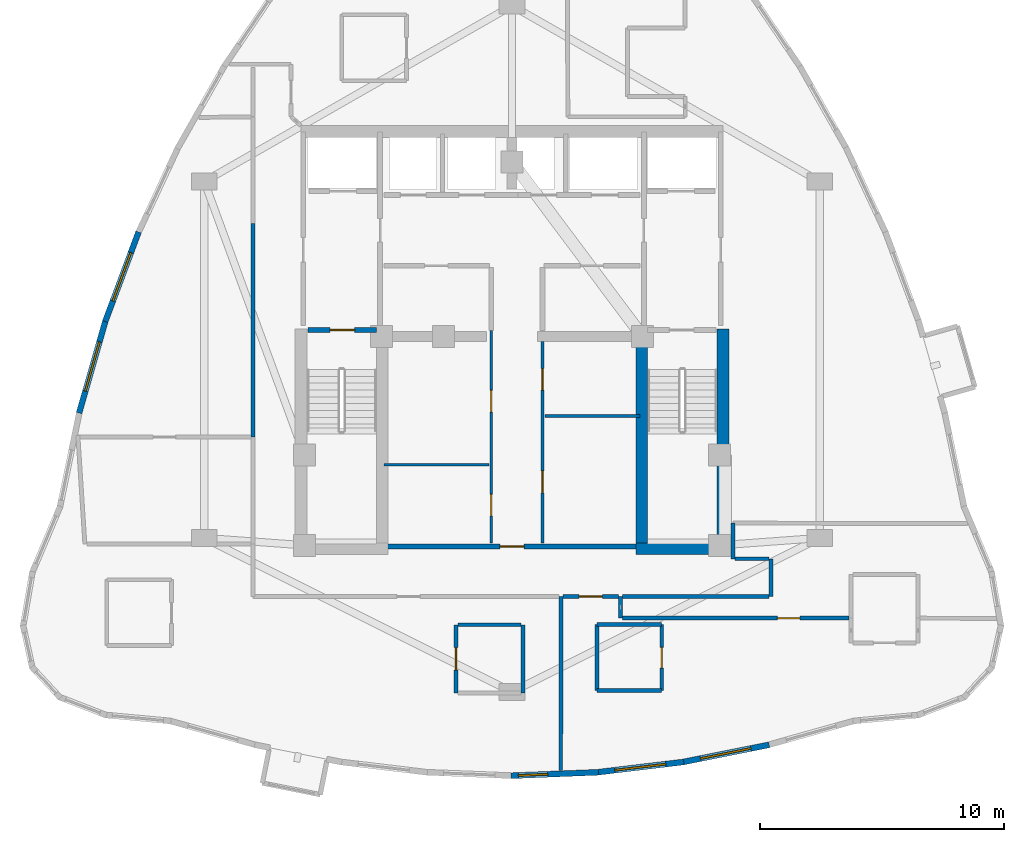
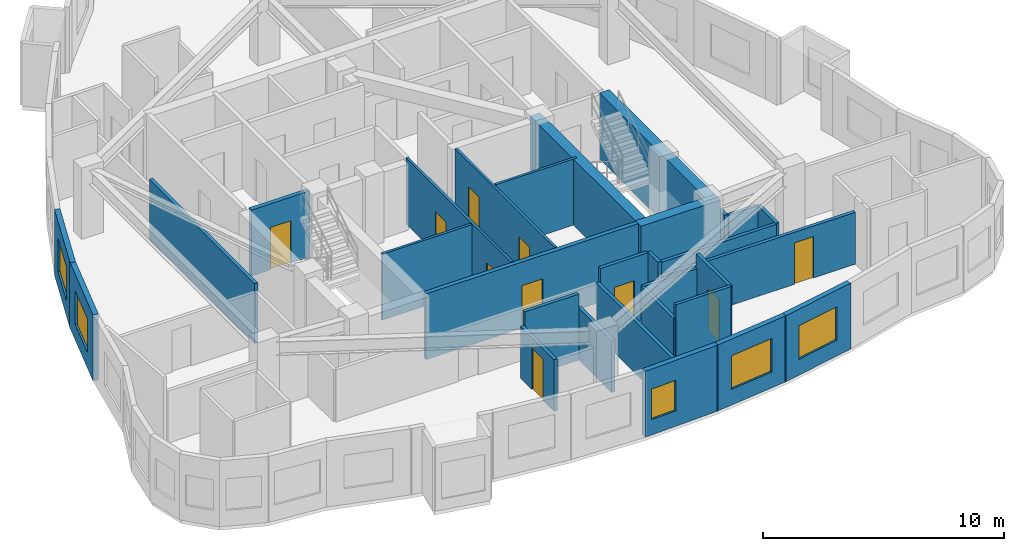
# One storey, part 8 of 12: 30 walls, 10 doors, 5 windows, 15 openings.
"""IFC4 building model written with IfcOpenShell, lengths in metres."""

from ifc_helpers import new_model, si_unit, direction, frame, frame_2d, origin, place, context, subcontext, project, spatial, rectangle, extrude, material, layer, layer_set, type_object, element, fill, save


model = new_model("IFC4")

# Units and contexts
model_context = context("Model", 3, precision=1e-05, world=origin(), true_north=direction((0.0, 1.0)))
body_context = subcontext(model_context, "Body", "Model", "MODEL_VIEW")
ifc_project = project(units=[si_unit("LENGTHUNIT", "METRE"), si_unit("AREAUNIT", "SQUARE_METRE"), si_unit("VOLUMEUNIT", "CUBIC_METRE"), si_unit("PLANEANGLEUNIT", "RADIAN"), si_unit("MASSUNIT", "GRAM", prefix="KILO")], contexts=[model_context])

# Site, building, storey
site_placement = place(None, origin())
site = spatial("IfcSite", under=ifc_project, at=site_placement, CompositionType="ELEMENT")
building_placement = place(site_placement, origin())
building = spatial("IfcBuilding", under=site, at=building_placement, Name="Miruveldt Soraemaru", CompositionType="ELEMENT")
storey_placement = place(building_placement, frame((0.0, 0.0, 219.60009765625)))
storey = spatial("IfcBuildingStorey", under=building, at=storey_placement, Name="L60", CompositionType="ELEMENT", Elevation=219.60009765625)

# Walls
ifc_material_1 = material(Name="Concrete C60/75 (60 MPa)", Category="concrete")
ifc_layer_1 = layer(ifc_material_1, 0.47998046875, Name="Concrete C60/75 (60 MPa)", Category="concrete")
ifc_layer_set_1 = layer_set([ifc_layer_1], Name="Concrete C60/75 (60 MPa)")
wall_type_1 = type_object("IfcWallType", Name="WALL-CW-480", PredefinedType="SHEAR", material=ifc_layer_set_1)
wall_1_placement = place(storey_placement, frame((49.070068359375, 35.360107421875, 0.0), z_axis=(0.0, 0.0, 1.0), x_axis=(1.0, 0.0, 0.0)))
element("IfcWall", 1, at=wall_1_placement, inside=storey, type_object=wall_type_1, Name="L60 Central Core Shear Wall S2", PredefinedType="SHEAR", context=body_context, shape_type="SweptSolid", body=[
    extrude(rectangle(XDim=3.809814453125, YDim=0.47998046875, at=frame_2d((1.90478515625, 0.0))), origin(), (0.0, 0.0, 1.0), 3.344970703125),
])
wall_2_placement = place(storey_placement, frame((52.639892578125, 35.1201171875, 0.0), z_axis=(0.0, 0.0, 1.0), x_axis=(0.0, 1.0, 0.0)))
element("IfcWall", 2, at=wall_2_placement, inside=storey, type_object=wall_type_1, Name="L60 Central Core Shear Wall E1", PredefinedType="SHEAR", context=body_context, shape_type="SweptSolid", body=[
    extrude(rectangle(XDim=9.22998046875, YDim=0.47998046875, at=frame_2d((4.614990234375, 0.0))), origin(), (0.0, 0.0, 1.0), 3.344970703125),
])
wall_3_placement = place(storey_placement, frame((49.31005859375, 35.39990234375, 0.0), z_axis=(0.0, 0.0, 1.0), x_axis=(0.0, 1.0, 0.0)))
element("IfcWall", 3, at=wall_3_placement, inside=storey, type_object=wall_type_1, Name="L60 Central Core Shear Wall SE-INT", PredefinedType="SHEAR", context=body_context, shape_type="SweptSolid", body=[
    extrude(rectangle(XDim=8.9501953125, YDim=0.47998046875, at=frame_2d((4.47509765625, 0.0))), origin(), (0.0, 0.0, 1.0), 3.344970703125),
])

# Wall, opening, window
ifc_material_2 = material(Name="Precast concrete C45/55 (45 MPa)", Category="concrete")
ifc_layer_2 = layer(ifc_material_2, 0.239990234375, Name="Precast concrete C45/55 (45 MPa)", Category="concrete")
ifc_layer_set_2 = layer_set([ifc_layer_2], Name="Precast concrete C45/55 (45 MPa)")
wall_type_2 = type_object("IfcWallType", Name="WALL-EXT-PC240", PredefinedType="SOLIDWALL", material=ifc_layer_set_2)
wall_4_placement = place(storey_placement, frame((28.706787109375, 48.335693359375, 0.0), z_axis=(0.0, 0.0, 1.0), x_axis=(-0.34901887995, -0.937115692665, 0.0)))
wall_4 = element("IfcWall", 4, at=wall_4_placement, inside=storey, type_object=wall_type_2, Name="L60 Precast Concrete Facade Wall 12", PredefinedType="SOLIDWALL", context=body_context, shape_type="SweptSolid", body=[
    extrude(rectangle(XDim=3.917236328125, YDim=0.239990234375, at=frame_2d((1.95849609375, 0.0))), origin(), (0.0, 0.0, 1.0), 3.344970703125),
])
opening_1_placement = place(wall_4_placement, frame((0.908935546875, 0.0, 0.800048828125)))
opening_1 = element("IfcOpeningElement", 5, at=opening_1_placement, cuts=wall_4, Name="Opening WN-1", PredefinedType="OPENING", context=body_context, shape_type="SweptSolid", body=[
    extrude(rectangle(XDim=2.10009765625, YDim=1.699951171875, at=frame_2d((1.050048828125, 0.85009765625))), frame((0.0, 0.1298828125, 0.0), z_axis=(0.0, -1.0, 0.0), x_axis=(1.0, 0.0, 0.0)), (0.0, 0.0, 1.0), 0.260009765625),
])
ifc_material_3 = material(Name="Triple low-e insulated glazing", Category="glass")
window_type_1 = type_object("IfcWindowType", Name="WIN-PUNCH-2100x1700", PartitioningType="SINGLE_PANEL", PredefinedType="WINDOW", material=ifc_material_3)
window_1_placement = place(opening_1_placement, origin())
window_1 = element("IfcWindow", 6, at=window_1_placement, inside=storey, type_object=window_type_1, Name="L60 Punched Triple-Glazed Window 12.1", OverallHeight=1.699951171875, OverallWidth=2.10009765625, PartitioningType="SINGLE_PANEL", PredefinedType="WINDOW", context=body_context, shape_type="SweptSolid", body=[
    extrude(rectangle(XDim=2.10009765625, YDim=1.699951171875, at=frame_2d((1.050048828125, 0.85009765625))), frame((0.0, 0.030029296875, 0.0), z_axis=(0.0, -1.0, 0.0), x_axis=(1.0, 0.0, 0.0)), (0.0, 0.0, 1.0), 0.06005859375),
])
fill(opening_1, window_1)

wall_5_placement = place(storey_placement, frame((27.361328125, 44.7314453125, 0.0), z_axis=(0.0, 0.0, 1.0), x_axis=(-0.274948794125, -0.961458870992, 0.0)))
wall_5 = element("IfcWall", 7, at=wall_5_placement, inside=storey, type_object=wall_type_2, Name="L60 Precast Concrete Facade Wall 13", PredefinedType="SOLIDWALL", context=body_context, shape_type="SweptSolid", body=[
    extrude(rectangle(XDim=3.965576171875, YDim=0.239990234375, at=frame_2d((1.98291015625, 0.0))), origin(), (0.0, 0.0, 1.0), 3.344970703125),
])
opening_2_placement = place(wall_5_placement, frame((0.93310546875, 0.0, 0.800048828125)))
opening_2 = element("IfcOpeningElement", 8, at=opening_2_placement, cuts=wall_5, Name="Opening WN-1", PredefinedType="OPENING", context=body_context, shape_type="SweptSolid", body=[
    extrude(rectangle(XDim=2.10009765625, YDim=1.699951171875, at=frame_2d((1.050048828125, 0.85009765625))), frame((0.0, 0.1298828125, 0.0), z_axis=(0.0, -1.0, 0.0), x_axis=(1.0, 0.0, 0.0)), (0.0, 0.0, 1.0), 0.260009765625),
])
window_2_placement = place(opening_2_placement, origin())
window_2 = element("IfcWindow", 9, at=window_2_placement, inside=storey, type_object=window_type_1, Name="L60 Punched Triple-Glazed Window 13.1", OverallHeight=1.699951171875, OverallWidth=2.10009765625, PartitioningType="SINGLE_PANEL", PredefinedType="WINDOW", context=body_context, shape_type="SweptSolid", body=[
    extrude(rectangle(XDim=2.10009765625, YDim=1.699951171875, at=frame_2d((1.050048828125, 0.85009765625))), frame((0.0, 0.030029296875, 0.0), z_axis=(0.0, -1.0, 0.0), x_axis=(1.0, 0.0, 0.0)), (0.0, 0.0, 1.0), 0.06005859375),
])
fill(opening_2, window_2)

wall_6_placement = place(storey_placement, frame((43.965087890625, 26.0625, 0.0), z_axis=(0.0, 0.0, 1.0), x_axis=(0.999203576114, 0.039902549812, 0.0)))
wall_6 = element("IfcWall", 10, at=wall_6_placement, inside=storey, type_object=wall_type_2, Name="L60 Precast Concrete Facade Wall 25", PredefinedType="SOLIDWALL", context=body_context, shape_type="SweptSolid", body=[
    extrude(rectangle(XDim=3.5732421875, YDim=0.239990234375, at=frame_2d((1.78662109375, 0.0))), origin(), (0.0, 0.0, 1.0), 3.344970703125),
])
opening_3_placement = place(wall_6_placement, frame((0.300048828125, 0.0, 0.780029296875)))
opening_3 = element("IfcOpeningElement", 11, at=opening_3_placement, cuts=wall_6, Name="Opening WN-4", PredefinedType="OPENING", context=body_context, shape_type="SweptSolid", body=[
    extrude(rectangle(XDim=1.199951171875, YDim=1.550048828125, at=frame_2d((0.60009765625, 0.77490234375))), frame((0.0, 0.1298828125, 0.0), z_axis=(0.0, -1.0, 0.0), x_axis=(1.0, 0.0, 0.0)), (0.0, 0.0, 1.0), 0.260009765625),
])
window_type_2 = type_object("IfcWindowType", Name="WIN-PUNCH-1200x1550", PartitioningType="SINGLE_PANEL", PredefinedType="WINDOW", material=ifc_material_3)
window_3_placement = place(opening_3_placement, origin())
window_3 = element("IfcWindow", 12, at=window_3_placement, inside=storey, type_object=window_type_2, Name="L60 Punched Triple-Glazed Window 25.1", OverallHeight=1.550048828125, OverallWidth=1.199951171875, PartitioningType="SINGLE_PANEL", PredefinedType="WINDOW", context=body_context, shape_type="SweptSolid", body=[
    extrude(rectangle(XDim=1.199951171875, YDim=1.550048828125, at=frame_2d((0.60009765625, 0.77490234375))), frame((0.0, 0.030029296875, 0.0), z_axis=(0.0, -1.0, 0.0), x_axis=(1.0, 0.0, 0.0)), (0.0, 0.0, 1.0), 0.06005859375),
])
fill(opening_3, window_3)

wall_7_placement = place(storey_placement, frame((47.465576171875, 26.19970703125, 0.0), z_axis=(0.0, 0.0, 1.0), x_axis=(0.992881978506, 0.119102379312, 0.0)))
wall_7 = element("IfcWall", 13, at=wall_7_placement, inside=storey, type_object=wall_type_2, Name="L60 Precast Concrete Facade Wall 26", PredefinedType="SOLIDWALL", context=body_context, shape_type="SweptSolid", body=[
    extrude(rectangle(XDim=3.595458984375, YDim=0.239990234375, at=frame_2d((1.7978515625, 0.0))), origin(), (0.0, 0.0, 1.0), 3.344970703125),
])
opening_4_placement = place(wall_7_placement, frame((0.748046875, 0.0, 0.800048828125)))
opening_4 = element("IfcOpeningElement", 14, at=opening_4_placement, cuts=wall_7, Name="Opening WN-1", PredefinedType="OPENING", context=body_context, shape_type="SweptSolid", body=[
    extrude(rectangle(XDim=2.10009765625, YDim=1.699951171875, at=frame_2d((1.050048828125, 0.85009765625))), frame((0.0, 0.1298828125, 0.0), z_axis=(0.0, -1.0, 0.0), x_axis=(1.0, 0.0, 0.0)), (0.0, 0.0, 1.0), 0.260009765625),
])
window_4_placement = place(opening_4_placement, origin())
window_4 = element("IfcWindow", 15, at=window_4_placement, inside=storey, type_object=window_type_1, Name="L60 Punched Triple-Glazed Window 26.1", OverallHeight=1.699951171875, OverallWidth=2.10009765625, PartitioningType="SINGLE_PANEL", PredefinedType="WINDOW", context=body_context, shape_type="SweptSolid", body=[
    extrude(rectangle(XDim=2.10009765625, YDim=1.699951171875, at=frame_2d((1.050048828125, 0.85009765625))), frame((0.0, 0.030029296875, 0.0), z_axis=(0.0, -1.0, 0.0), x_axis=(1.0, 0.0, 0.0)), (0.0, 0.0, 1.0), 0.06005859375),
])
fill(opening_4, window_4)

wall_8_placement = place(storey_placement, frame((50.96630859375, 26.616943359375, 0.0), z_axis=(0.0, 0.0, 1.0), x_axis=(0.980578095776, 0.196129034274, 0.0)))
wall_8 = element("IfcWall", 16, at=wall_8_placement, inside=storey, type_object=wall_type_2, Name="L60 Precast Concrete Facade Wall 27", PredefinedType="SOLIDWALL", context=body_context, shape_type="SweptSolid", body=[
    extrude(rectangle(XDim=3.639892578125, YDim=0.239990234375, at=frame_2d((1.81982421875, 0.0))), origin(), (0.0, 0.0, 1.0), 3.344970703125),
])
opening_5_placement = place(wall_8_placement, frame((0.77001953125, 0.0, 0.800048828125)))
opening_5 = element("IfcOpeningElement", 17, at=opening_5_placement, cuts=wall_8, Name="Opening WN-1", PredefinedType="OPENING", context=body_context, shape_type="SweptSolid", body=[
    extrude(rectangle(XDim=2.10009765625, YDim=1.699951171875, at=frame_2d((1.050048828125, 0.85009765625))), frame((0.0, 0.1298828125, 0.0), z_axis=(0.0, -1.0, 0.0), x_axis=(1.0, 0.0, 0.0)), (0.0, 0.0, 1.0), 0.260009765625),
])
window_5_placement = place(opening_5_placement, origin())
window_5 = element("IfcWindow", 18, at=window_5_placement, inside=storey, type_object=window_type_1, Name="L60 Punched Triple-Glazed Window 27.1", OverallHeight=1.699951171875, OverallWidth=2.10009765625, PartitioningType="SINGLE_PANEL", PredefinedType="WINDOW", context=body_context, shape_type="SweptSolid", body=[
    extrude(rectangle(XDim=2.10009765625, YDim=1.699951171875, at=frame_2d((1.050048828125, 0.85009765625))), frame((0.0, 0.030029296875, 0.0), z_axis=(0.0, -1.0, 0.0), x_axis=(1.0, 0.0, 0.0)), (0.0, 0.0, 1.0), 0.06005859375),
])
fill(opening_5, window_5)

# Wall, openings, doors
ifc_material_4 = material(Name="Gypsum plasterboard lining", Category="gypsum")
ifc_layer_3 = layer(ifc_material_4, 0.1201171875, Name="Gypsum plasterboard lining", Category="gypsum")
ifc_layer_set_3 = layer_set([ifc_layer_3], Name="Gypsum plasterboard lining")
wall_type_3 = type_object("IfcWallType", Name="WALL-INT-P120", PredefinedType="PARTITIONING", material=ifc_layer_set_3)
wall_9_placement = place(storey_placement, frame((43.14990234375, 35.60009765625, 0.0), z_axis=(0.0, 0.0, 1.0), x_axis=(0.0, 1.0, 0.0)))
wall_9 = element("IfcWall", 19, at=wall_9_placement, inside=storey, type_object=wall_type_3, Name="L60 Core Compartment Wall SP-WL", PredefinedType="PARTITIONING", context=body_context, shape_type="SweptSolid", body=[
    extrude(rectangle(XDim=8.699951171875, YDim=0.1201171875, at=frame_2d((4.35009765625, 0.0))), origin(), (0.0, 0.0, 1.0), 3.344970703125),
])
opening_6_placement = place(wall_9_placement, frame((1.110107421875, 0.0, 0.0)))
opening_6 = element("IfcOpeningElement", 20, at=opening_6_placement, cuts=wall_9, Name="Opening D4", PredefinedType="OPENING", context=body_context, shape_type="SweptSolid", body=[
    extrude(rectangle(XDim=0.8798828125, YDim=2.10009765625, at=frame_2d((0.43994140625, 1.050048828125))), frame((0.0, 0.070068359375, 0.0), z_axis=(0.0, -1.0, 0.0), x_axis=(1.0, 0.0, 0.0)), (0.0, 0.0, 1.0), 0.14013671875),
])
opening_7_placement = place(wall_9_placement, frame((5.35009765625, 0.0, 0.0)))
opening_7 = element("IfcOpeningElement", 21, at=opening_7_placement, cuts=wall_9, Name="Opening D3", PredefinedType="OPENING", context=body_context, shape_type="SweptSolid", body=[
    extrude(rectangle(XDim=0.89990234375, YDim=2.10009765625, at=frame_2d((0.449951171875, 1.050048828125))), frame((0.0, 0.070068359375, 0.0), z_axis=(0.0, -1.0, 0.0), x_axis=(1.0, 0.0, 0.0)), (0.0, 0.0, 1.0), 0.14013671875),
])
ifc_material_5 = material(Name="Anodised aluminium EN AW-6063 T6", Category="aluminium")
door_type_1 = type_object("IfcDoorType", Name="DOOR-INT-880", OperationType="NOTDEFINED", PredefinedType="DOOR", material=ifc_material_5)
door_1_placement = place(opening_6_placement, origin())
door_1 = element("IfcDoor", 22, at=door_1_placement, inside=storey, type_object=door_type_1, Name="L60 Fire Door", OperationType="SINGLE_SWING_LEFT", OverallHeight=2.10009765625, OverallWidth=0.8798828125, PredefinedType="DOOR", context=body_context, shape_type="SweptSolid", body=[
    extrude(rectangle(XDim=0.8798828125, YDim=2.10009765625, at=frame_2d((0.43994140625, 1.050048828125))), frame((0.0, 0.02490234375, 0.0), z_axis=(0.0, -1.0, 0.0), x_axis=(1.0, 0.0, 0.0)), (0.0, 0.0, 1.0), 0.050048828125),
])
fill(opening_6, door_1)
door_type_2 = type_object("IfcDoorType", Name="DOOR-INT-900", OperationType="NOTDEFINED", PredefinedType="DOOR", material=ifc_material_5)
door_2_placement = place(opening_7_placement, origin())
door_2 = element("IfcDoor", 23, at=door_2_placement, inside=storey, type_object=door_type_2, Name="L60 Fire Door", OperationType="SINGLE_SWING_LEFT", OverallHeight=2.10009765625, OverallWidth=0.89990234375, PredefinedType="DOOR", context=body_context, shape_type="SweptSolid", body=[
    extrude(rectangle(XDim=0.89990234375, YDim=2.10009765625, at=frame_2d((0.449951171875, 1.050048828125))), frame((0.0, 0.02490234375, 0.0), z_axis=(0.0, -1.0, 0.0), x_axis=(1.0, 0.0, 0.0)), (0.0, 0.0, 1.0), 0.050048828125),
])
fill(opening_7, door_2)

wall_10_placement = place(storey_placement, frame((45.25, 35.60009765625, 0.0), z_axis=(0.0, 0.0, 1.0), x_axis=(0.0, 1.0, 0.0)))
wall_10 = element("IfcWall", 24, at=wall_10_placement, inside=storey, type_object=wall_type_3, Name="L60 Core Compartment Wall SP-EL", PredefinedType="PARTITIONING", context=body_context, shape_type="SweptSolid", body=[
    extrude(rectangle(XDim=8.25, YDim=0.1201171875, at=frame_2d((4.125, 0.0))), origin(), (0.0, 0.0, 1.0), 3.344970703125),
])
opening_8_placement = place(wall_10_placement, frame((2.050048828125, 0.0, 0.0)))
opening_8 = element("IfcOpeningElement", 25, at=opening_8_placement, cuts=wall_10, Name="Opening D3", PredefinedType="OPENING", context=body_context, shape_type="SweptSolid", body=[
    extrude(rectangle(XDim=0.89990234375, YDim=2.10009765625, at=frame_2d((0.449951171875, 1.050048828125))), frame((0.0, 0.070068359375, 0.0), z_axis=(0.0, -1.0, 0.0), x_axis=(1.0, 0.0, 0.0)), (0.0, 0.0, 1.0), 0.14013671875),
])
opening_9_placement = place(wall_10_placement, frame((6.260009765625, 0.0, 0.0)))
opening_9 = element("IfcOpeningElement", 26, at=opening_9_placement, cuts=wall_10, Name="Opening D4", PredefinedType="OPENING", context=body_context, shape_type="SweptSolid", body=[
    extrude(rectangle(XDim=0.8798828125, YDim=2.10009765625, at=frame_2d((0.43994140625, 1.050048828125))), frame((0.0, 0.070068359375, 0.0), z_axis=(0.0, -1.0, 0.0), x_axis=(1.0, 0.0, 0.0)), (0.0, 0.0, 1.0), 0.14013671875),
])
door_3_placement = place(opening_9_placement, origin())
door_3 = element("IfcDoor", 27, at=door_3_placement, inside=storey, type_object=door_type_1, Name="L60 Fire Door", OperationType="SINGLE_SWING_LEFT", OverallHeight=2.10009765625, OverallWidth=0.8798828125, PredefinedType="DOOR", context=body_context, shape_type="SweptSolid", body=[
    extrude(rectangle(XDim=0.8798828125, YDim=2.10009765625, at=frame_2d((0.43994140625, 1.050048828125))), frame((0.0, 0.02490234375, 0.0), z_axis=(0.0, -1.0, 0.0), x_axis=(1.0, 0.0, 0.0)), (0.0, 0.0, 1.0), 0.050048828125),
])
fill(opening_9, door_3)
door_4_placement = place(opening_8_placement, origin())
door_4 = element("IfcDoor", 28, at=door_4_placement, inside=storey, type_object=door_type_2, Name="L60 Fire Door", OperationType="SINGLE_SWING_LEFT", OverallHeight=2.10009765625, OverallWidth=0.89990234375, PredefinedType="DOOR", context=body_context, shape_type="SweptSolid", body=[
    extrude(rectangle(XDim=0.89990234375, YDim=2.10009765625, at=frame_2d((0.449951171875, 1.050048828125))), frame((0.0, 0.02490234375, 0.0), z_axis=(0.0, -1.0, 0.0), x_axis=(1.0, 0.0, 0.0)), (0.0, 0.0, 1.0), 0.050048828125),
])
fill(opening_8, door_4)

# Walls
wall_11_placement = place(storey_placement, frame((38.75, 38.800048828125, 0.0), z_axis=(0.0, 0.0, 1.0), x_axis=(1.0, 0.0, 0.0)))
element("IfcWall", 29, at=wall_11_placement, inside=storey, type_object=wall_type_3, Name="L60 Core Compartment Wall RL-W2H", PredefinedType="PARTITIONING", context=body_context, shape_type="SweptSolid", body=[
    extrude(rectangle(XDim=4.300048828125, YDim=0.1201171875, at=frame_2d((2.14990234375, 0.0))), origin(), (0.0, 0.0, 1.0), 3.344970703125),
])
wall_12_placement = place(storey_placement, frame((45.35009765625, 40.800048828125, 0.0), z_axis=(0.0, 0.0, 1.0), x_axis=(1.0, 0.0, 0.0)))
element("IfcWall", 30, at=wall_12_placement, inside=storey, type_object=wall_type_3, Name="L60 Core Compartment Wall RL-E2H", PredefinedType="PARTITIONING", context=body_context, shape_type="SweptSolid", body=[
    extrude(rectangle(XDim=3.89990234375, YDim=0.1201171875, at=frame_2d((1.949951171875, 0.0))), origin(), (0.0, 0.0, 1.0), 3.344970703125),
])

# Wall, opening, door
ifc_layer_4 = layer(ifc_material_4, 0.14990234375, Name="Gypsum plasterboard lining", Category="gypsum")
ifc_layer_set_4 = layer_set([ifc_layer_4], Name="Gypsum plasterboard lining")
wall_type_4 = type_object("IfcWallType", Name="WALL-INT-PLUMB", PredefinedType="PLUMBINGWALL", material=ifc_layer_set_4)
wall_13_placement = place(storey_placement, frame((50.1298828125, 29.555908203125, 0.0), z_axis=(0.0, 0.0, 1.0), x_axis=(0.0, 1.0, 0.0)))
wall_13 = element("IfcWall", 31, at=wall_13_placement, inside=storey, type_object=wall_type_4, Name="L60 Partition Wall 31", PredefinedType="PLUMBINGWALL", context=body_context, shape_type="SweptSolid", body=[
    extrude(rectangle(XDim=2.7001953125, YDim=0.14990234375, at=frame_2d((1.35009765625, 0.0))), origin(), (0.0, 0.0, 1.0), 3.344970703125),
])
opening_10_placement = place(wall_13_placement, frame((0.909912109375, 0.0, 0.0)))
opening_10 = element("IfcOpeningElement", 32, at=opening_10_placement, cuts=wall_13, Name="Opening FD3", PredefinedType="OPENING", context=body_context, shape_type="SweptSolid", body=[
    extrude(rectangle(XDim=0.85009765625, YDim=2.10009765625, at=frame_2d((0.425048828125, 1.050048828125))), frame((0.0, 0.0849609375, 0.0), z_axis=(0.0, -1.0, 0.0), x_axis=(1.0, 0.0, 0.0)), (0.0, 0.0, 1.0), 0.169921875),
])
door_type_3 = type_object("IfcDoorType", Name="DOOR-FD3-850", OperationType="NOTDEFINED", PredefinedType="DOOR", material=ifc_material_5)
door_5_placement = place(opening_10_placement, origin())
door_5 = element("IfcDoor", 33, at=door_5_placement, inside=storey, type_object=door_type_3, Name="L60 Unit 6003 BTH Door", OperationType="SINGLE_SWING_RIGHT", OverallHeight=2.10009765625, OverallWidth=0.85009765625, PredefinedType="DOOR", context=body_context, shape_type="SweptSolid", body=[
    extrude(rectangle(XDim=0.85009765625, YDim=2.10009765625, at=frame_2d((0.425048828125, 1.050048828125))), frame((0.0, 0.02490234375, 0.0), z_axis=(0.0, -1.0, 0.0), x_axis=(1.0, 0.0, 0.0)), (0.0, 0.0, 1.0), 0.050048828125),
])
fill(opening_10, door_5)

# Walls
wall_14_placement = place(storey_placement, frame((47.47998046875, 32.256103515625, 0.0), z_axis=(0.0, 0.0, 1.0), x_axis=(0.0, -1.0, 0.0)))
element("IfcWall", 34, at=wall_14_placement, inside=storey, type_object=wall_type_4, Name="L60 Partition Wall 33", PredefinedType="PLUMBINGWALL", context=body_context, shape_type="SweptSolid", body=[
    extrude(rectangle(XDim=2.7001953125, YDim=0.14990234375, at=frame_2d((1.35009765625, 0.0))), origin(), (0.0, 0.0, 1.0), 2.6328125),
])
wall_15_placement = place(storey_placement, frame((50.1298828125, 32.256103515625, 0.0), z_axis=(0.0, 0.0, 1.0), x_axis=(-1.0, 0.0, 0.0)))
element("IfcWall", 35, at=wall_15_placement, inside=storey, type_object=wall_type_4, Name="L60 Partition Wall 32", PredefinedType="PLUMBINGWALL", context=body_context, shape_type="SweptSolid", body=[
    extrude(rectangle(XDim=2.64990234375, YDim=0.14990234375, at=frame_2d((1.324951171875, 0.0))), origin(), (0.0, 0.0, 1.0), 2.6328125),
])
wall_16_placement = place(storey_placement, frame((47.47998046875, 29.555908203125, 0.0), z_axis=(0.0, 0.0, 1.0), x_axis=(1.0, 0.0, 0.0)))
element("IfcWall", 36, at=wall_16_placement, inside=storey, type_object=wall_type_4, Name="L60 Partition Wall 34", PredefinedType="PLUMBINGWALL", context=body_context, shape_type="SweptSolid", body=[
    extrude(rectangle(XDim=2.64990234375, YDim=0.14990234375, at=frame_2d((1.324951171875, 0.0))), origin(), (0.0, 0.0, 1.0), 3.344970703125),
])

# Wall, opening, door
ifc_material_6 = material(Name="Concrete C40/50 (40 MPa)", Category="concrete")
ifc_layer_5 = layer(ifc_material_6, 0.159912109375, Name="Concrete C40/50 (40 MPa)", Category="concrete")
ifc_layer_set_5 = layer_set([ifc_layer_5], Name="Concrete C40/50 (40 MPa)")
wall_type_5 = type_object("IfcWallType", Name="WALL-INT-RC160", PredefinedType="SOLIDWALL", material=ifc_layer_set_5)
wall_17_placement = place(storey_placement, frame((57.800048828125, 32.51611328125, 0.0), z_axis=(0.0, 0.0, 1.0), x_axis=(-1.0, 0.0, 0.0)))
wall_17 = element("IfcWall", 37, at=wall_17_placement, inside=storey, type_object=wall_type_5, Name="L60 Partition Wall 39", PredefinedType="SOLIDWALL", context=body_context, shape_type="SweptSolid", body=[
    extrude(rectangle(XDim=9.27001953125, YDim=0.159912109375, at=frame_2d((4.635009765625, 0.0))), origin(), (0.0, 0.0, 1.0), 2.6328125),
])
opening_11_placement = place(wall_17_placement, frame((2.014892578125, 0.0, 0.0)))
opening_11 = element("IfcOpeningElement", 38, at=opening_11_placement, cuts=wall_17, Name="Opening D3A", PredefinedType="OPENING", context=body_context, shape_type="SweptSolid", body=[
    extrude(rectangle(XDim=0.919921875, YDim=2.10009765625, at=frame_2d((0.4599609375, 1.050048828125))), frame((0.0, 0.08984375, 0.0), z_axis=(0.0, -1.0, 0.0), x_axis=(1.0, 0.0, 0.0)), (0.0, 0.0, 1.0), 0.179931640625),
])
door_type_4 = type_object("IfcDoorType", Name="DOOR-INT-920", OperationType="NOTDEFINED", PredefinedType="DOOR", material=ifc_material_5)
door_6_placement = place(opening_11_placement, origin())
door_6 = element("IfcDoor", 39, at=door_6_placement, inside=storey, type_object=door_type_4, Name="L60 Unit 6003 BD1 Door", OperationType="SINGLE_SWING_RIGHT", OverallHeight=2.10009765625, OverallWidth=0.919921875, PredefinedType="DOOR", context=body_context, shape_type="SweptSolid", body=[
    extrude(rectangle(XDim=0.919921875, YDim=2.10009765625, at=frame_2d((0.4599609375, 1.050048828125))), frame((0.0, 0.02490234375, 0.0), z_axis=(0.0, -1.0, 0.0), x_axis=(1.0, 0.0, 0.0)), (0.0, 0.0, 1.0), 0.050048828125),
])
fill(opening_11, door_6)

wall_18_placement = place(storey_placement, frame((41.705078125, 32.24609375, 0.0), z_axis=(0.0, 0.0, 1.0), x_axis=(0.0, -1.0, 0.0)))
wall_18 = element("IfcWall", 40, at=wall_18_placement, inside=storey, type_object=wall_type_5, Name="L60 Partition Wall 25", PredefinedType="SOLIDWALL", context=body_context, shape_type="SweptSolid", body=[
    extrude(rectangle(XDim=2.800048828125, YDim=0.159912109375, at=frame_2d((1.39990234375, 0.0))), origin(), (0.0, 0.0, 1.0), 2.6328125),
])
opening_12_placement = place(wall_18_placement, frame((0.93994140625, 0.0, 0.0)))
opening_12 = element("IfcOpeningElement", 41, at=opening_12_placement, cuts=wall_18, Name="Opening D3A", PredefinedType="OPENING", context=body_context, shape_type="SweptSolid", body=[
    extrude(rectangle(XDim=0.919921875, YDim=2.10009765625, at=frame_2d((0.4599609375, 1.050048828125))), frame((0.0, 0.08984375, 0.0), z_axis=(0.0, -1.0, 0.0), x_axis=(1.0, 0.0, 0.0)), (0.0, 0.0, 1.0), 0.179931640625),
])
door_7_placement = place(opening_12_placement, origin())
door_7 = element("IfcDoor", 42, at=door_7_placement, inside=storey, type_object=door_type_4, Name="L60 Unit 6002 KIT Door", OperationType="SINGLE_SWING_LEFT", OverallHeight=2.10009765625, OverallWidth=0.919921875, PredefinedType="DOOR", context=body_context, shape_type="SweptSolid", body=[
    extrude(rectangle(XDim=0.919921875, YDim=2.10009765625, at=frame_2d((0.4599609375, 1.050048828125))), frame((0.0, 0.02490234375, 0.0), z_axis=(0.0, -1.0, 0.0), x_axis=(1.0, 0.0, 0.0)), (0.0, 0.0, 1.0), 0.050048828125),
])
fill(opening_12, door_7)

wall_19_placement = place(storey_placement, frame((46.083984375, 33.39990234375, 0.0), z_axis=(0.0, 0.0, 1.0), x_axis=(1.0, 0.0, 0.0)))
wall_19 = element("IfcWall", 43, at=wall_19_placement, inside=storey, type_object=wall_type_5, Name="L60 Partition Wall 9", PredefinedType="SOLIDWALL", context=body_context, shape_type="SweptSolid", body=[
    extrude(rectangle(XDim=2.281982421875, YDim=0.159912109375, at=frame_2d((1.14111328125, 0.0))), origin(), (0.0, 0.0, 1.0), 3.344970703125),
])
opening_13_placement = place(wall_19_placement, frame((0.666015625, 0.0, 0.0)))
opening_13 = element("IfcOpeningElement", 44, at=opening_13_placement, cuts=wall_19, Name="Opening FD2", PredefinedType="OPENING", context=body_context, shape_type="SweptSolid", body=[
    extrude(rectangle(XDim=0.949951171875, YDim=2.14990234375, at=frame_2d((0.47509765625, 1.074951171875))), frame((0.0, 0.08984375, 0.0), z_axis=(0.0, -1.0, 0.0), x_axis=(1.0, 0.0, 0.0)), (0.0, 0.0, 1.0), 0.179931640625),
])
door_type_5 = type_object("IfcDoorType", Name="DOOR-FD2-950", OperationType="NOTDEFINED", PredefinedType="DOOR", material=ifc_material_5)
door_8_placement = place(opening_13_placement, origin())
door_8 = element("IfcDoor", 45, at=door_8_placement, inside=storey, type_object=door_type_5, Name="L60 Unit 6003 Entrance Fire Door", OperationType="SINGLE_SWING_LEFT", OverallHeight=2.14990234375, OverallWidth=0.949951171875, PredefinedType="DOOR", context=body_context, shape_type="SweptSolid", body=[
    extrude(rectangle(XDim=0.949951171875, YDim=2.14990234375, at=frame_2d((0.47509765625, 1.074951171875))), frame((0.0, 0.02490234375, 0.0), z_axis=(0.0, -1.0, 0.0), x_axis=(1.0, 0.0, 0.0)), (0.0, 0.0, 1.0), 0.050048828125),
])
fill(opening_13, door_8)

# Walls
wall_20_placement = place(storey_placement, frame((33.39990234375, 48.673095703125, 0.0), z_axis=(0.0, 0.0, 1.0), x_axis=(0.0, -1.0, 0.0)))
element("IfcWall", 46, at=wall_20_placement, inside=storey, type_object=wall_type_5, Name="L60 Partition Wall 5", PredefinedType="SOLIDWALL", context=body_context, shape_type="SweptSolid", body=[
    extrude(rectangle(XDim=8.735107421875, YDim=0.159912109375, at=frame_2d((4.36767578125, 0.0))), origin(), (0.0, 0.0, 1.0), 3.032958984375),
])
wall_21_placement = place(storey_placement, frame((45.998046875, 26.279052734375, 0.0), z_axis=(0.0, 0.0, 1.0), x_axis=(0.000274433114, 0.999999962343, 0.0)))
element("IfcWall", 47, at=wall_21_placement, inside=storey, type_object=wall_type_5, Name="L60 Partition Wall 30", PredefinedType="SOLIDWALL", context=body_context, shape_type="SweptSolid", body=[
    extrude(rectangle(XDim=7.116943359375, YDim=0.159912109375, at=frame_2d((3.55859375, 0.0))), origin(), (0.0, 0.0, 1.0), 2.6328125),
])
wall_22_placement = place(storey_placement, frame((48.530029296875, 33.39990234375, 0.0), z_axis=(0.0, 0.0, 1.0), x_axis=(1.0, 0.0, 0.0)))
element("IfcWall", 48, at=wall_22_placement, inside=storey, type_object=wall_type_5, Name="L60 Partition Wall 10", PredefinedType="SOLIDWALL", context=body_context, shape_type="SweptSolid", body=[
    extrude(rectangle(XDim=5.989990234375, YDim=0.159912109375, at=frame_2d((2.9951171875, 0.0))), origin(), (0.0, 0.0, 1.0), 2.6328125),
])
wall_23_placement = place(storey_placement, frame((44.455078125, 29.446044921875, 0.0), z_axis=(0.0, 0.0, 1.0), x_axis=(0.0, 1.0, 0.0)))
element("IfcWall", 49, at=wall_23_placement, inside=storey, type_object=wall_type_5, Name="L60 Partition Wall 23", PredefinedType="SOLIDWALL", context=body_context, shape_type="SweptSolid", body=[
    extrude(rectangle(XDim=2.800048828125, YDim=0.159912109375, at=frame_2d((1.39990234375, 0.0))), origin(), (0.0, 0.0, 1.0), 2.6328125),
])
wall_24_placement = place(storey_placement, frame((44.375, 32.24609375, 0.0), z_axis=(0.0, 0.0, 1.0), x_axis=(-1.0, 0.0, 0.0)))
element("IfcWall", 50, at=wall_24_placement, inside=storey, type_object=wall_type_5, Name="L60 Partition Wall 24", PredefinedType="SOLIDWALL", context=body_context, shape_type="SweptSolid", body=[
    extrude(rectangle(XDim=2.590087890625, YDim=0.159912109375, at=frame_2d((1.294921875, 0.0))), origin(), (0.0, 0.0, 1.0), 3.344970703125),
])
wall_25_placement = place(storey_placement, frame((54.60009765625, 33.39990234375, 0.0), z_axis=(0.0, 0.0, 1.0), x_axis=(0.0, 1.0, 0.0)))
element("IfcWall", 51, at=wall_25_placement, inside=storey, type_object=wall_type_5, Name="L60 Partition Wall 11", PredefinedType="SOLIDWALL", context=body_context, shape_type="SweptSolid", body=[
    extrude(rectangle(XDim=1.550048828125, YDim=0.159912109375, at=frame_2d((0.77490234375, 0.0))), origin(), (0.0, 0.0, 1.0), 2.6328125),
])
wall_26_placement = place(storey_placement, frame((53.050048828125, 34.949951171875, 0.0), z_axis=(0.0, 0.0, 1.0), x_axis=(0.0, 1.0, 0.0)))
element("IfcWall", 52, at=wall_26_placement, inside=storey, type_object=wall_type_5, Name="L60 Partition Wall 51", PredefinedType="SOLIDWALL", context=body_context, shape_type="SweptSolid", body=[
    extrude(rectangle(XDim=1.4599609375, YDim=0.159912109375, at=frame_2d((0.72998046875, 0.0))), origin(), (0.0, 0.0, 1.0), 2.6328125),
])
wall_27_placement = place(storey_placement, frame((54.52001953125, 34.949951171875, 0.0), z_axis=(0.0, 0.0, 1.0), x_axis=(-1.0, 0.0, 0.0)))
element("IfcWall", 53, at=wall_27_placement, inside=storey, type_object=wall_type_5, Name="L60 Partition Wall 12", PredefinedType="SOLIDWALL", context=body_context, shape_type="SweptSolid", body=[
    extrude(rectangle(XDim=1.39013671875, YDim=0.159912109375, at=frame_2d((0.695068359375, 0.0))), origin(), (0.0, 0.0, 1.0), 2.6328125),
])
wall_28_placement = place(storey_placement, frame((48.449951171875, 32.51611328125, 0.0), z_axis=(0.0, 0.0, 1.0), x_axis=(0.0, 1.0, 0.0)))
element("IfcWall", 54, at=wall_28_placement, inside=storey, type_object=wall_type_5, Name="L60 Partition Wall 40", PredefinedType="SOLIDWALL", context=body_context, shape_type="SweptSolid", body=[
    extrude(rectangle(XDim=0.8837890625, YDim=0.159912109375, at=frame_2d((0.44189453125, 0.0))), origin(), (0.0, 0.0, 1.0), 3.344970703125),
])

# Wall, opening, door
ifc_layer_6 = layer(ifc_material_6, 0.199951171875, Name="Concrete C40/50 (40 MPa)", Category="concrete")
ifc_layer_set_6 = layer_set([ifc_layer_6], Name="Concrete C40/50 (40 MPa)")
wall_type_6 = type_object("IfcWallType", Name="WALL-INT-RC200", PredefinedType="SOLIDWALL", material=ifc_layer_set_6)
wall_29_placement = place(storey_placement, frame((38.89990234375, 35.449951171875, 0.0), z_axis=(0.0, 0.0, 1.0), x_axis=(1.0, 0.0, 0.0)))
wall_29 = element("IfcWall", 55, at=wall_29_placement, inside=storey, type_object=wall_type_6, Name="L60 Core Compartment Wall CS-S", PredefinedType="SOLIDWALL", context=body_context, shape_type="SweptSolid", body=[
    extrude(rectangle(XDim=10.2001953125, YDim=0.199951171875, at=frame_2d((5.10009765625, 0.0))), origin(), (0.0, 0.0, 1.0), 3.344970703125),
])
opening_14_placement = place(wall_29_placement, frame((4.60009765625, 0.0, 0.0)))
opening_14 = element("IfcOpeningElement", 56, at=opening_14_placement, cuts=wall_29, Name="Opening FD1", PredefinedType="OPENING", context=body_context, shape_type="SweptSolid", body=[
    extrude(rectangle(XDim=1.0, YDim=2.14990234375, at=frame_2d((0.5, 1.074951171875))), frame((0.0, 0.10986328125, 0.0), z_axis=(0.0, -1.0, 0.0), x_axis=(1.0, 0.0, 0.0)), (0.0, 0.0, 1.0), 0.219970703125),
])
door_type_6 = type_object("IfcDoorType", Name="DOOR-FD1-1000", OperationType="NOTDEFINED", PredefinedType="DOOR", material=ifc_material_5)
door_9_placement = place(opening_14_placement, origin())
door_9 = element("IfcDoor", 57, at=door_9_placement, inside=storey, type_object=door_type_6, Name="L60 Core South Lobby Fire Door", OperationType="SINGLE_SWING_LEFT", OverallHeight=2.14990234375, OverallWidth=1.0, PredefinedType="DOOR", context=body_context, shape_type="SweptSolid", body=[
    extrude(rectangle(XDim=1.0, YDim=2.14990234375, at=frame_2d((0.5, 1.074951171875))), frame((0.0, 0.02490234375, 0.0), z_axis=(0.0, -1.0, 0.0), x_axis=(1.0, 0.0, 0.0)), (0.0, 0.0, 1.0), 0.050048828125),
])
fill(opening_14, door_9)

wall_30_placement = place(storey_placement, frame((35.64990234375, 44.320068359375, 0.0), z_axis=(0.0, 0.0, 1.0), x_axis=(1.0, 0.0, 0.0)))
wall_30 = element("IfcWall", 58, at=wall_30_placement, inside=storey, type_object=wall_type_6, Name="L60 Core Compartment Wall ST1-N", PredefinedType="SOLIDWALL", context=body_context, shape_type="SweptSolid", body=[
    extrude(rectangle(XDim=2.800048828125, YDim=0.199951171875, at=frame_2d((1.39990234375, 0.0))), origin(), (0.0, 0.0, 1.0), 3.344970703125),
])
opening_15_placement = place(wall_30_placement, frame((0.89990234375, 0.0, 0.0)))
opening_15 = element("IfcOpeningElement", 59, at=opening_15_placement, cuts=wall_30, Name="Opening FD1", PredefinedType="OPENING", context=body_context, shape_type="SweptSolid", body=[
    extrude(rectangle(XDim=1.0, YDim=2.14990234375, at=frame_2d((0.5, 1.074951171875))), frame((0.0, 0.10986328125, 0.0), z_axis=(0.0, -1.0, 0.0), x_axis=(1.0, 0.0, 0.0)), (0.0, 0.0, 1.0), 0.219970703125),
])
door_10_placement = place(opening_15_placement, frame((1.0, 0.0, 0.0), z_axis=(0.0, 0.0, 1.0), x_axis=(-1.0, 0.0, 0.0)))
door_10 = element("IfcDoor", 60, at=door_10_placement, inside=storey, type_object=door_type_6, Name="L60 Stair ST-1 Fire Door", OperationType="SINGLE_SWING_LEFT", OverallHeight=2.14990234375, OverallWidth=1.0, PredefinedType="DOOR", context=body_context, shape_type="SweptSolid", body=[
    extrude(rectangle(XDim=1.0, YDim=2.14990234375, at=frame_2d((0.5, 1.074951171875))), frame((0.0, 0.02490234375, 0.0), z_axis=(0.0, -1.0, 0.0), x_axis=(1.0, 0.0, 0.0)), (0.0, 0.0, 1.0), 0.050048828125),
])
fill(opening_15, door_10)

save(model, "model.ifc")
